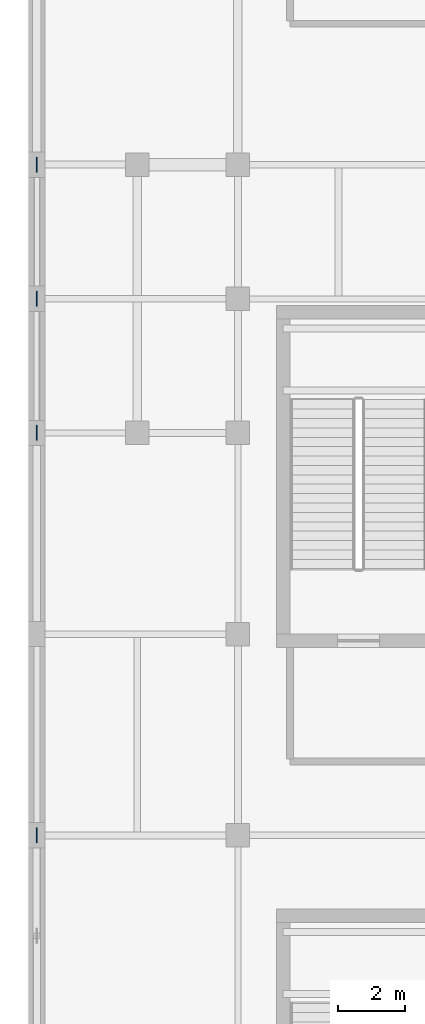
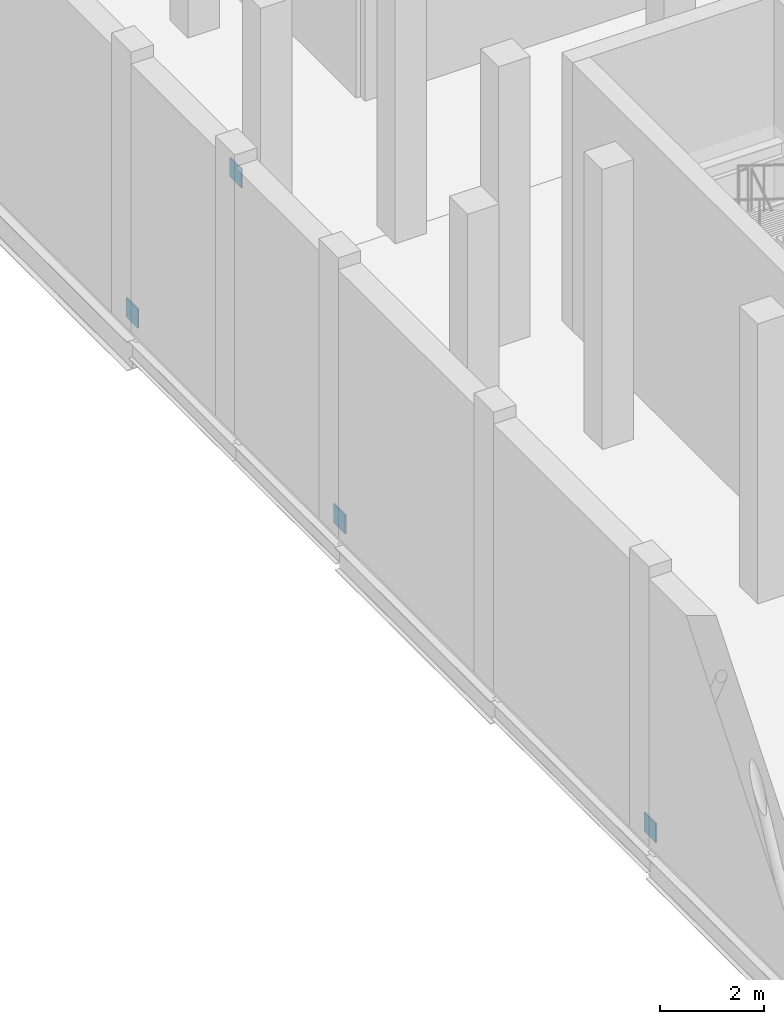
# One storey, part 112 of 140: 4 plates.
"""IFC4 building model written with IfcOpenShell, lengths in metres."""

from ifc_helpers import new_model, si_unit, direction, frame, origin, origin_2d, place, context, subcontext, project, spatial, rectangle, extrude, material, layer, layer_set, type_object, element, save


model = new_model("IFC4")

# Units and contexts
model_context = context("Model", 3, precision=1e-05, world=origin(), true_north=direction((0.0, 1.0)))
body_context = subcontext(model_context, "Body", "Model", "MODEL_VIEW")
ifc_project = project(units=[si_unit("LENGTHUNIT", "METRE"), si_unit("AREAUNIT", "SQUARE_METRE"), si_unit("VOLUMEUNIT", "CUBIC_METRE"), si_unit("PLANEANGLEUNIT", "RADIAN"), si_unit("MASSUNIT", "GRAM", prefix="KILO")], contexts=[model_context])

# Site, building, storey
site_placement = place(None, origin())
site = spatial("IfcSite", under=ifc_project, at=site_placement, CompositionType="ELEMENT")
building_placement = place(site_placement, origin())
building = spatial("IfcBuilding", under=site, at=building_placement, Name="Verrall Gate Interchange", CompositionType="ELEMENT")
storey_placement = place(building_placement, origin())
storey = spatial("IfcBuildingStorey", under=building, at=storey_placement, Name="L01", CompositionType="ELEMENT", Elevation=0.0)

# Plates
ifc_material = material(Name="Structural Steel CSA G40.21 350WT Cat 4", Category="steel")
ifc_layer = layer(ifc_material, 0.030029296875)
ifc_layer_set = layer_set([ifc_layer], Name="Structural Steel CSA G40.21 350WT Cat 4")
plate_type = type_object("IfcPlateType", Name="GP-02 Gusset Plate 30", PredefinedType="SHEET", material=ifc_layer_set)
for number, where, z_axis, x_axis, name in (
    (1, (0.0, 28.0, -0.0849609375), (0.0, 0.0, 1.0), (1.0, 0.0, 0.0), "Chevron Brace Gusset Node CBF2-L01-BB"),
    (2, (0.0, 40.0, -0.0849609375), (0.0, 0.0, 1.0), (1.0, 0.0, 0.0), "Chevron Brace Gusset Node CBF3-L01-BA"),
    (3, (0.0, 48.0, -0.0849609375), (0.0, 0.0, 1.0), (1.0, 0.0, 0.0), "Chevron Brace Gusset Node CBF3-L01-BB"),
    (4, (0.0, 44.0, 5.64501953125), (0.0, 0.0, 1.0), (1.0, 0.0, 0.0), "Chevron Brace Gusset Node CBF3-L01-AP"),
):
    element("IfcPlate", number, at=place(storey_placement, frame(where, z_axis=z_axis, x_axis=x_axis)), inside=storey, type_object=plate_type, Name=name, PredefinedType="SHEET", context=body_context, shape_type="SweptSolid", body=[
        extrude(rectangle(XDim=0.030029296875, YDim=0.449951171875, at=origin_2d()), origin(), (0.0, 0.0, 1.0), 0.449951171875),
    ])

save(model, "model.ifc")
